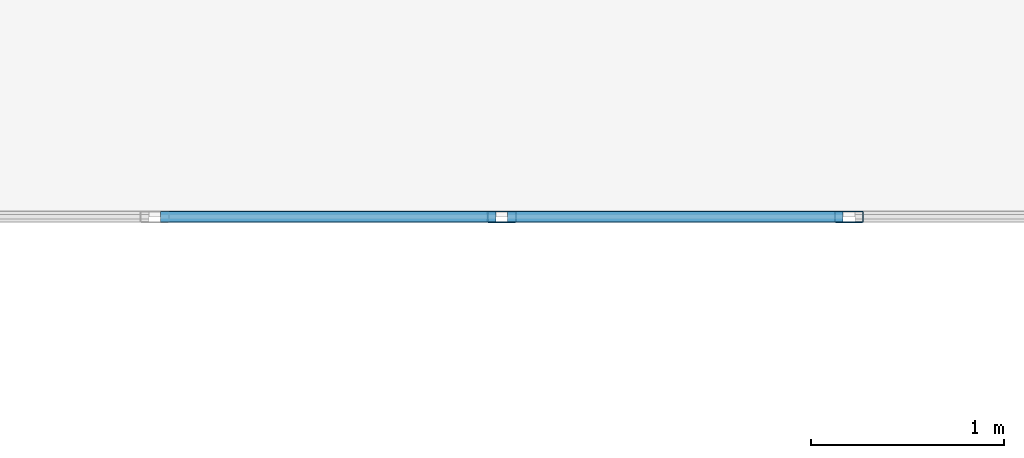
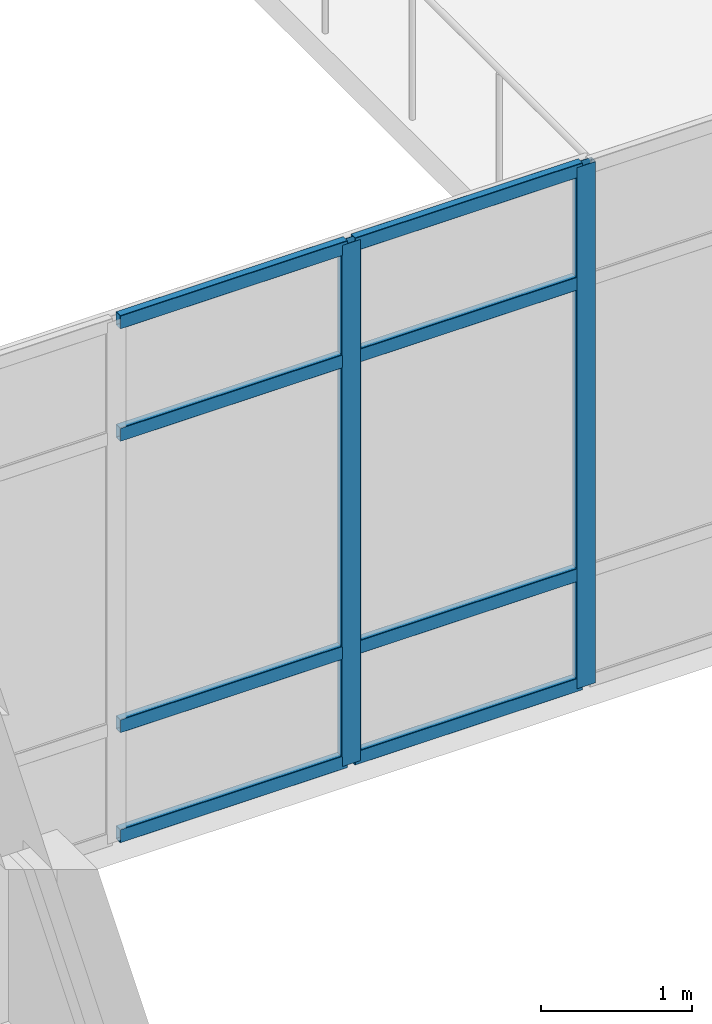
# One storey, part 13 of 42: 10 members, 1 element without a shape of its own.
"""IFC4 building model written with IfcOpenShell, lengths in metres."""

from ifc_helpers import new_model, si_unit, direction, frame, origin, origin_2d, place, context, subcontext, project, spatial, hollow_rectangle, extrude, material, material_profile, profile_set, type_object, element, aggregate, save


model = new_model("IFC4")

# Units and contexts
model_context = context("Model", 3, precision=1e-05, world=origin(), true_north=direction((0.0, 1.0)))
body_context = subcontext(model_context, "Body", "Model", "MODEL_VIEW")
ifc_project = project(units=[si_unit("LENGTHUNIT", "METRE"), si_unit("AREAUNIT", "SQUARE_METRE"), si_unit("VOLUMEUNIT", "CUBIC_METRE"), si_unit("PLANEANGLEUNIT", "RADIAN"), si_unit("MASSUNIT", "GRAM", prefix="KILO")], contexts=[model_context])

# Site, building, storey
site_placement = place(None, origin())
site = spatial("IfcSite", under=ifc_project, at=site_placement, CompositionType="ELEMENT")
building_placement = place(site_placement, origin())
building = spatial("IfcBuilding", under=site, at=building_placement, Name="Solmirada Galleria", CompositionType="ELEMENT")
storey_placement = place(building_placement, frame((0.0, 0.0, 28.39990234375)))
storey = spatial("IfcBuildingStorey", under=building, at=storey_placement, Name="L06", CompositionType="ELEMENT", Elevation=28.39990234375)

# Curtain wall, members
ifc_material_1 = material(Name="Impact-resistant low-E double glazing", Category="glass")
curtain_wall_type = type_object("IfcCurtainWallType", Name="CW-FZ3-L06-B4-L072", PredefinedType="NOTDEFINED", material=ifc_material_1)
curtain_wall_placement = place(storey_placement, origin())
curtain_wall = element("IfcCurtainWall", 1, at=curtain_wall_placement, inside=storey, type_object=curtain_wall_type, Name="Terrace and arcade storefront CW-L06-197", PredefinedType="NOTDEFINED")
ifc_material_2 = material(Name="Anodised aluminium framing", Category="aluminium")
ifc_material_profile_1 = material_profile(ifc_material_2, hollow_rectangle(XDim=0.06005859375, YDim=0.14990234375, WallThickness=0.00341796875, InnerFilletRadius=0.00341796875, OuterFilletRadius=0.007080078125, at=origin_2d()), Name="ALU-MULL-150X60")
ifc_profile_set_1 = profile_set([ifc_material_profile_1], Name="Anodised aluminium framing")
member_type_1 = type_object("IfcMemberType", Name="CW-MULL-150", PredefinedType="MULLION", material=ifc_profile_set_1)
member_1_placement = place(storey_placement, frame((101.799072265625, 48.0, 0.0), z_axis=(0.0, 0.0, 1.0), x_axis=(0.0, -1.0, 0.0)))
member_1 = element("IfcMember", 2, at=member_1_placement, type_object=member_type_1, Name="CW38 mullion 2", PredefinedType="MULLION", context=body_context, shape_type="SweptSolid", body=[
    extrude(hollow_rectangle(XDim=0.06005859375, YDim=0.14990234375, WallThickness=0.00341796875, InnerFilletRadius=0.00341796875, OuterFilletRadius=0.007080078125, at=origin_2d()), origin(), (0.0, 0.0, 1.0), 4.22021484375),
])
member_2_placement = place(storey_placement, frame((100.0, 48.0, 0.0), z_axis=(0.0, 0.0, 1.0), x_axis=(0.0, -1.0, 0.0)))
member_2 = element("IfcMember", 3, at=member_2_placement, type_object=member_type_1, Name="CW38 mullion 3", PredefinedType="MULLION", context=body_context, shape_type="SweptSolid", body=[
    extrude(hollow_rectangle(XDim=0.06005859375, YDim=0.14990234375, WallThickness=0.00341796875, InnerFilletRadius=0.00341796875, OuterFilletRadius=0.007080078125, at=origin_2d()), origin(), (0.0, 0.0, 1.0), 4.22021484375),
])
ifc_material_profile_2 = material_profile(ifc_material_2, hollow_rectangle(XDim=0.06005859375, YDim=0.110107421875, WallThickness=0.003173828125, InnerFilletRadius=0.003173828125, OuterFilletRadius=0.00634765625, at=origin_2d()), Name="ALU-TRAN-110X60")
ifc_profile_set_2 = profile_set([ifc_material_profile_2], Name="Anodised aluminium framing")
member_type_2 = type_object("IfcMemberType", Name="CW-TRAN-110", PredefinedType="USERDEFINED", material=ifc_profile_set_2)
member_3_placement = place(storey_placement, frame((101.76904296875, 48.0, 0.030029296875), z_axis=(-1.0, 0.0, 0.0), x_axis=(0.0, -1.0, 0.0)))
member_3 = element("IfcMember", 4, at=member_3_placement, type_object=member_type_2, Name="CW38 transom 2.1", ObjectType="TRANSOM", PredefinedType="USERDEFINED", context=body_context, shape_type="SweptSolid", body=[
    extrude(hollow_rectangle(XDim=0.06005859375, YDim=0.110107421875, WallThickness=0.003173828125, InnerFilletRadius=0.003173828125, OuterFilletRadius=0.00634765625, at=origin_2d()), origin(), (0.0, 0.0, 1.0), 1.739013671875),
])
member_4_placement = place(storey_placement, frame((101.76904296875, 48.0, 0.920166015625), z_axis=(-1.0, 0.0, 0.0), x_axis=(0.0, -1.0, 0.0)))
member_4 = element("IfcMember", 5, at=member_4_placement, type_object=member_type_2, Name="CW38 transom 2.2", ObjectType="TRANSOM", PredefinedType="USERDEFINED", context=body_context, shape_type="SweptSolid", body=[
    extrude(hollow_rectangle(XDim=0.06005859375, YDim=0.110107421875, WallThickness=0.003173828125, InnerFilletRadius=0.003173828125, OuterFilletRadius=0.00634765625, at=origin_2d()), origin(), (0.0, 0.0, 1.0), 1.739013671875),
])
member_5_placement = place(storey_placement, frame((101.76904296875, 48.0, 3.280029296875), z_axis=(-1.0, 0.0, 0.0), x_axis=(0.0, -1.0, 0.0)))
member_5 = element("IfcMember", 6, at=member_5_placement, type_object=member_type_2, Name="CW38 transom 2.3", ObjectType="TRANSOM", PredefinedType="USERDEFINED", context=body_context, shape_type="SweptSolid", body=[
    extrude(hollow_rectangle(XDim=0.06005859375, YDim=0.110107421875, WallThickness=0.003173828125, InnerFilletRadius=0.003173828125, OuterFilletRadius=0.00634765625, at=origin_2d()), origin(), (0.0, 0.0, 1.0), 1.739013671875),
])
member_6_placement = place(storey_placement, frame((101.76904296875, 48.0, 4.190185546875), z_axis=(-1.0, 0.0, 0.0), x_axis=(0.0, -1.0, 0.0)))
member_6 = element("IfcMember", 7, at=member_6_placement, type_object=member_type_2, Name="CW38 transom 2.4", ObjectType="TRANSOM", PredefinedType="USERDEFINED", context=body_context, shape_type="SweptSolid", body=[
    extrude(hollow_rectangle(XDim=0.06005859375, YDim=0.110107421875, WallThickness=0.003173828125, InnerFilletRadius=0.003173828125, OuterFilletRadius=0.00634765625, at=origin_2d()), origin(), (0.0, 0.0, 1.0), 1.739013671875),
])
member_7_placement = place(storey_placement, frame((99.969970703125, 48.0, 0.030029296875), z_axis=(-1.0, 0.0, 0.0), x_axis=(0.0, -1.0, 0.0)))
member_7 = element("IfcMember", 8, at=member_7_placement, type_object=member_type_2, Name="CW38 transom 3.1", ObjectType="TRANSOM", PredefinedType="USERDEFINED", context=body_context, shape_type="SweptSolid", body=[
    extrude(hollow_rectangle(XDim=0.06005859375, YDim=0.110107421875, WallThickness=0.003173828125, InnerFilletRadius=0.003173828125, OuterFilletRadius=0.00634765625, at=origin_2d()), origin(), (0.0, 0.0, 1.0), 1.739013671875),
])
member_8_placement = place(storey_placement, frame((99.969970703125, 48.0, 0.920166015625), z_axis=(-1.0, 0.0, 0.0), x_axis=(0.0, -1.0, 0.0)))
member_8 = element("IfcMember", 9, at=member_8_placement, type_object=member_type_2, Name="CW38 transom 3.2", ObjectType="TRANSOM", PredefinedType="USERDEFINED", context=body_context, shape_type="SweptSolid", body=[
    extrude(hollow_rectangle(XDim=0.06005859375, YDim=0.110107421875, WallThickness=0.003173828125, InnerFilletRadius=0.003173828125, OuterFilletRadius=0.00634765625, at=origin_2d()), origin(), (0.0, 0.0, 1.0), 1.739013671875),
])
member_9_placement = place(storey_placement, frame((99.969970703125, 48.0, 3.280029296875), z_axis=(-1.0, 0.0, 0.0), x_axis=(0.0, -1.0, 0.0)))
member_9 = element("IfcMember", 10, at=member_9_placement, type_object=member_type_2, Name="CW38 transom 3.3", ObjectType="TRANSOM", PredefinedType="USERDEFINED", context=body_context, shape_type="SweptSolid", body=[
    extrude(hollow_rectangle(XDim=0.06005859375, YDim=0.110107421875, WallThickness=0.003173828125, InnerFilletRadius=0.003173828125, OuterFilletRadius=0.00634765625, at=origin_2d()), origin(), (0.0, 0.0, 1.0), 1.739013671875),
])
member_10_placement = place(storey_placement, frame((99.969970703125, 48.0, 4.190185546875), z_axis=(-1.0, 0.0, 0.0), x_axis=(0.0, -1.0, 0.0)))
member_10 = element("IfcMember", 11, at=member_10_placement, type_object=member_type_2, Name="CW38 transom 3.4", ObjectType="TRANSOM", PredefinedType="USERDEFINED", context=body_context, shape_type="SweptSolid", body=[
    extrude(hollow_rectangle(XDim=0.06005859375, YDim=0.110107421875, WallThickness=0.003173828125, InnerFilletRadius=0.003173828125, OuterFilletRadius=0.00634765625, at=origin_2d()), origin(), (0.0, 0.0, 1.0), 1.739013671875),
])
aggregate(curtain_wall, [member_1, member_2, member_3, member_4, member_5, member_6, member_7, member_8, member_9, member_10])

save(model, "model.ifc")
